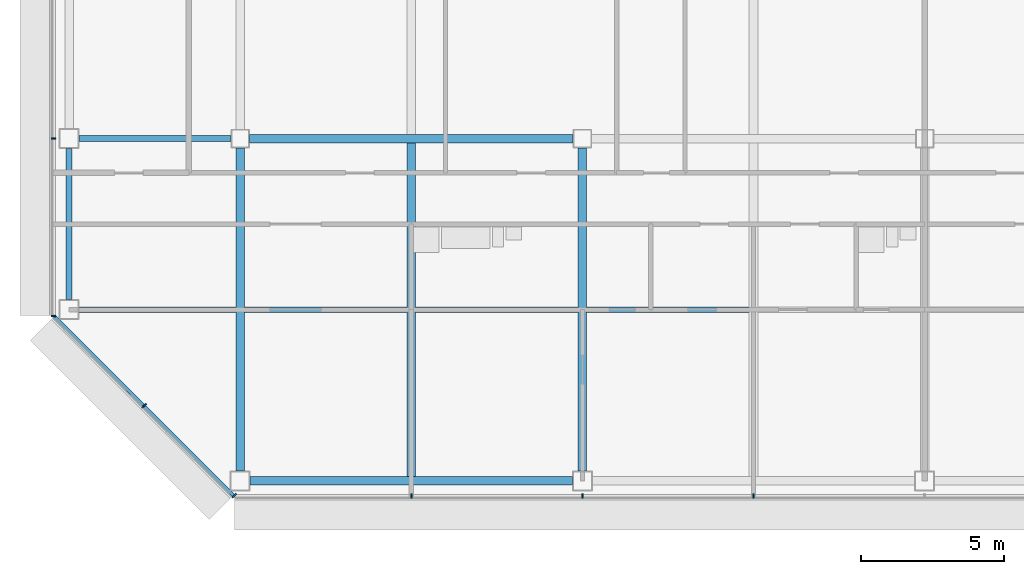
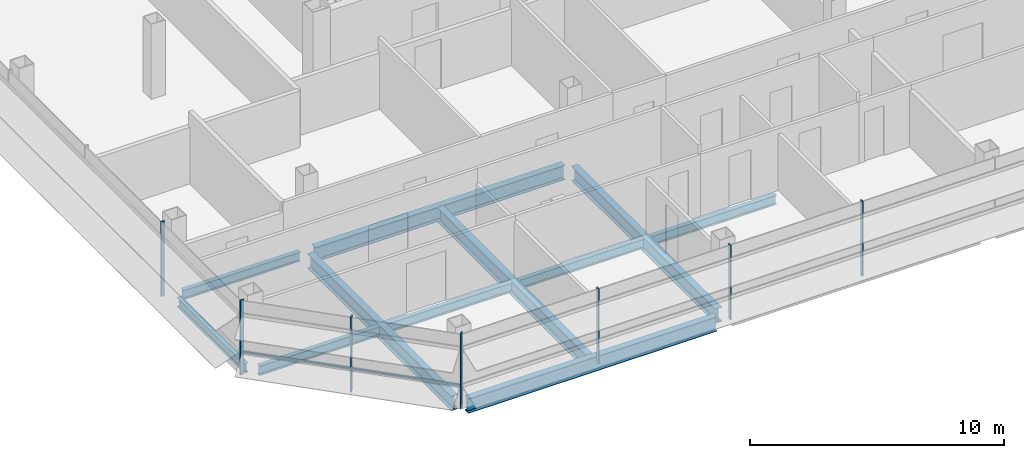
# One storey, part 2 of 26: 11 beams, 8 members, 3 elements without a shape of their own.
"""IFC4 building model written with IfcOpenShell, lengths in metres."""

from ifc_helpers import new_model, si_unit, direction, frame, origin, origin_2d, place, context, subcontext, project, spatial, rectangle, i_section, extrude, material, material_profile, profile_set, type_object, element, aggregate, save


model = new_model("IFC4")

# Units and contexts
model_context = context("Model", 3, precision=1e-05, world=origin(), true_north=direction((0.0, 1.0)))
body_context = subcontext(model_context, "Body", "Model", "MODEL_VIEW")
ifc_project = project(units=[si_unit("LENGTHUNIT", "METRE"), si_unit("AREAUNIT", "SQUARE_METRE"), si_unit("VOLUMEUNIT", "CUBIC_METRE"), si_unit("PLANEANGLEUNIT", "RADIAN"), si_unit("MASSUNIT", "GRAM", prefix="KILO")], contexts=[model_context])

# Site, building, storey
site_placement = place(None, origin())
site = spatial("IfcSite", under=ifc_project, at=site_placement, CompositionType="ELEMENT")
building_placement = place(site_placement, origin())
building = spatial("IfcBuilding", under=site, at=building_placement, Name="Sorahane Residences", CompositionType="ELEMENT")
storey_placement = place(building_placement, frame((0.0, 0.0, 151.0)))
storey = spatial("IfcBuildingStorey", under=building, at=storey_placement, Name="L34", CompositionType="ELEMENT", Elevation=151.0)

# Curtain wall, members
ifc_material_1 = material(Name="Dark low-e glass and black anodised aluminium", Category="aluminium")
curtain_wall_type_1 = type_object("IfcCurtainWallType", Name="Curtain wall CW-1 Typical unitised wall", PredefinedType="NOTDEFINED", material=ifc_material_1)
curtain_wall_1_placement = place(storey_placement, origin())
curtain_wall_1 = element("IfcCurtainWall", 1, at=curtain_wall_1_placement, inside=storey, type_object=curtain_wall_type_1, Name="CW-1 curtain wall L34 S1", PredefinedType="NOTDEFINED")
ifc_material_2 = material(Name="Black anodised aluminium", Category="aluminium")
ifc_material_profile_1 = material_profile(ifc_material_2, rectangle(XDim=0.159912109375, YDim=0.050048828125, at=origin_2d()), Name="Curtain wall mullion CW-1 black anodised aluminium 50x160")
ifc_profile_set_1 = profile_set([ifc_material_profile_1], Name="Black anodised aluminium")
member_type_1 = type_object("IfcMemberType", Name="Curtain wall mullion CW-1 black anodised aluminium 50x160", PredefinedType="MULLION", material=ifc_profile_set_1)
member_1_placement = place(storey_placement, frame((6.0, -0.5400390625, -0.179931640625), z_axis=(0.0, 0.0, 1.0), x_axis=(0.0, -1.0, 0.0)))
member_1 = element("IfcMember", 2, at=member_1_placement, type_object=member_type_1, Name="CW-1 mullion L34 S1.2", PredefinedType="MULLION", context=body_context, shape_type="SweptSolid", body=[
    extrude(rectangle(XDim=0.159912109375, YDim=0.050048828125, at=origin_2d()), origin(), (0.0, 0.0, 1.0), 3.599853515625),
])
member_2_placement = place(storey_placement, frame((12.0, -0.5400390625, -0.179931640625), z_axis=(0.0, 0.0, 1.0), x_axis=(0.0, -1.0, 0.0)))
member_2 = element("IfcMember", 3, at=member_2_placement, type_object=member_type_1, Name="CW-1 mullion L34 S1.3", PredefinedType="MULLION", context=body_context, shape_type="SweptSolid", body=[
    extrude(rectangle(XDim=0.159912109375, YDim=0.050048828125, at=origin_2d()), origin(), (0.0, 0.0, 1.0), 3.599853515625),
])
member_3_placement = place(storey_placement, frame((18.0, -0.5400390625, -0.179931640625), z_axis=(0.0, 0.0, 1.0), x_axis=(0.0, -1.0, 0.0)))
member_3 = element("IfcMember", 4, at=member_3_placement, type_object=member_type_1, Name="CW-1 mullion L34 S1.4", PredefinedType="MULLION", context=body_context, shape_type="SweptSolid", body=[
    extrude(rectangle(XDim=0.159912109375, YDim=0.050048828125, at=origin_2d()), origin(), (0.0, 0.0, 1.0), 3.599853515625),
])
aggregate(curtain_wall_1, [member_1, member_2, member_3])

curtain_wall_2_placement = place(storey_placement, origin())
curtain_wall_2 = element("IfcCurtainWall", 5, at=curtain_wall_2_placement, inside=storey, type_object=curtain_wall_type_1, Name="CW-1 curtain wall L34 W1", PredefinedType="NOTDEFINED")
member_4_placement = place(storey_placement, frame((-6.5400390625, 12.0, -0.179931640625), z_axis=(0.0, 0.0, 1.0), x_axis=(-1.0, 0.0, 0.0)))
member_4 = element("IfcMember", 6, at=member_4_placement, type_object=member_type_1, Name="CW-1 mullion L34 W1.6", PredefinedType="MULLION", context=body_context, shape_type="SweptSolid", body=[
    extrude(rectangle(XDim=0.159912109375, YDim=0.050048828125, at=origin_2d()), origin(), (0.0, 0.0, 1.0), 3.599853515625),
])
member_5_placement = place(storey_placement, frame((-6.5400390625, 5.7763671875, -0.179931640625), z_axis=(0.0, 0.0, 1.0), x_axis=(-1.0, 0.0, 0.0)))
member_5 = element("IfcMember", 7, at=member_5_placement, type_object=member_type_1, Name="CW-1 mullion L34 W1.7", PredefinedType="MULLION", context=body_context, shape_type="SweptSolid", body=[
    extrude(rectangle(XDim=0.159912109375, YDim=0.050048828125, at=origin_2d()), origin(), (0.0, 0.0, 1.0), 3.599853515625),
])
aggregate(curtain_wall_2, [member_4, member_5])

ifc_material_3 = material(Name="Dark low-e glass and black anodised aluminium", Category="aluminium")
curtain_wall_type_2 = type_object("IfcCurtainWallType", Name="Curtain wall CW-2 Chamfer unitised wall", PredefinedType="NOTDEFINED", material=ifc_material_3)
curtain_wall_3_placement = place(storey_placement, origin())
curtain_wall_3 = element("IfcCurtainWall", 8, at=curtain_wall_3_placement, inside=storey, type_object=curtain_wall_type_2, Name="CW-2 curtain wall L34 SW1", PredefinedType="NOTDEFINED")
ifc_material_4 = material(Name="Black anodised aluminium", Category="aluminium")
ifc_material_profile_2 = material_profile(ifc_material_4, rectangle(XDim=0.199951171875, YDim=0.050048828125, at=origin_2d()), Name="Curtain wall mullion CW-2 black anodised aluminium 50x200")
ifc_profile_set_2 = profile_set([ifc_material_profile_2], Name="Black anodised aluminium")
member_type_2 = type_object("IfcMemberType", Name="Curtain wall mullion CW-2 black anodised aluminium 50x200", PredefinedType="MULLION", material=ifc_profile_set_2)
member_6_placement = place(storey_placement, frame((-3.36767578125, 2.63232421875, -0.179931640625), z_axis=(0.0, 0.0, 1.0), x_axis=(-0.707106781187, -0.707106781187, 0.0)))
member_6 = element("IfcMember", 9, at=member_6_placement, type_object=member_type_2, Name="CW-2 mullion L34 SW1.2", PredefinedType="MULLION", context=body_context, shape_type="SweptSolid", body=[
    extrude(rectangle(XDim=0.199951171875, YDim=0.050048828125, at=origin_2d()), origin(), (0.0, 0.0, 1.0), 3.599853515625),
])
member_7_placement = place(storey_placement, frame((-0.209716796875, -0.525634765625, -0.179931640625), z_axis=(0.0, 0.0, 1.0), x_axis=(-0.707106781187, -0.707106781187, 0.0)))
member_7 = element("IfcMember", 10, at=member_7_placement, type_object=member_type_2, Name="CW-2 mullion L34 SW1.3", PredefinedType="MULLION", context=body_context, shape_type="SweptSolid", body=[
    extrude(rectangle(XDim=0.199951171875, YDim=0.050048828125, at=origin_2d()), origin(), (0.0, 0.0, 1.0), 3.599853515625),
])
ifc_material_5 = material(Name="Black anodised aluminium", Category="aluminium")
ifc_material_profile_3 = material_profile(ifc_material_5, rectangle(XDim=0.10009765625, YDim=0.06005859375, at=origin_2d()), Name="Curtain wall transom CW-2 black anodised aluminium 60x100")
ifc_profile_set_3 = profile_set([ifc_material_profile_3], Name="Black anodised aluminium")
member_type_3 = type_object("IfcMemberType", Name="Curtain wall transom CW-2 black anodised aluminium 60x100", PredefinedType="USERDEFINED", material=ifc_profile_set_3)
member_8_placement = place(storey_placement, frame((-6.51513671875, 5.765625, 0.89990234375), z_axis=(0.707106781187, -0.707106781187, 0.0), x_axis=(0.707106781187, 0.707106781187, 0.0)))
member_8 = element("IfcMember", 11, at=member_8_placement, type_object=member_type_3, Name="CW-2 transom L34 SW1", ObjectType="TRANSOM", PredefinedType="USERDEFINED", context=body_context, shape_type="SweptSolid", body=[
    extrude(rectangle(XDim=0.10009765625, YDim=0.06005859375, at=origin_2d()), origin(), (0.0, 0.0, 1.0), 8.88232421875),
])
aggregate(curtain_wall_3, [member_6, member_7, member_8])

# Beams
ifc_material_6 = material(Name="Steel Q355B", Category="steel")
ifc_material_profile_4 = material_profile(ifc_material_6, i_section(OverallWidth=0.199951171875, OverallDepth=0.449951171875, WebThickness=0.009033203125, FlangeThickness=0.013916015625, FilletRadius=0.02001953125, at=origin_2d()), Name="HN 450x200x9x14")
ifc_profile_set_4 = profile_set([ifc_material_profile_4], Name="Steel Q355B")
beam_type_1 = type_object("IfcBeamType", Name="Steel floor beam HN 450x200x9x14 Q355B", PredefinedType="BEAM", material=ifc_profile_set_4)
beam_1_placement = place(storey_placement, frame((-5.64990234375, 12.0, -0.405029296875), z_axis=(1.0, 0.0, 0.0), x_axis=(0.0, 1.0, 0.0)))
element("IfcBeam", 12, at=beam_1_placement, inside=storey, type_object=beam_type_1, Name="Beam L34 005", PredefinedType="BEAM", context=body_context, shape_type="SweptSolid", body=[
    extrude(i_section(OverallWidth=0.199951171875, OverallDepth=0.449951171875, WebThickness=0.009033203125, FlangeThickness=0.013916015625, FilletRadius=0.02001953125, at=origin_2d()), origin(), (0.0, 0.0, 1.0), 5.324951171875),
])
beam_2_placement = place(storey_placement, frame((-6.0, 6.35009765625, -0.405029296875), z_axis=(0.0, 1.0, 0.0), x_axis=(-1.0, 0.0, 0.0)))
element("IfcBeam", 13, at=beam_2_placement, inside=storey, type_object=beam_type_1, Name="Beam L34 020", PredefinedType="BEAM", context=body_context, shape_type="SweptSolid", body=[
    extrude(i_section(OverallWidth=0.199951171875, OverallDepth=0.449951171875, WebThickness=0.009033203125, FlangeThickness=0.013916015625, FilletRadius=0.02001953125, at=origin_2d()), origin(), (0.0, 0.0, 1.0), 5.2998046875),
])
beam_3_placement = place(storey_placement, frame((-5.64990234375, 6.0, -0.405029296875), z_axis=(1.0, 0.0, 0.0), x_axis=(0.0, 1.0, 0.0)))
element("IfcBeam", 14, at=beam_3_placement, inside=storey, type_object=beam_type_1, Name="Beam L34 068", PredefinedType="BEAM", context=body_context, shape_type="SweptSolid", body=[
    extrude(i_section(OverallWidth=0.199951171875, OverallDepth=0.449951171875, WebThickness=0.009033203125, FlangeThickness=0.013916015625, FilletRadius=0.02001953125, at=origin_2d()), origin(), (0.0, 0.0, 1.0), 5.5),
])
for number, where, z_axis, x_axis, name in (
    (15, (0.14990234375, 6.0, -0.405029296875), (1.0, 0.0, 0.0), (0.0, 1.0, 0.0), "Beam L34 069"),
    (16, (6.14990234375, 6.0, -0.405029296875), (1.0, 0.0, 0.0), (0.0, 1.0, 0.0), "Beam L34 070"),
    (17, (12.14990234375, 6.0, -0.405029296875), (1.0, 0.0, 0.0), (0.0, 1.0, 0.0), "Beam L34 071"),
):
    element("IfcBeam", number, at=place(storey_placement, frame(where, z_axis=z_axis, x_axis=x_axis)), inside=storey, type_object=beam_type_1, Name=name, PredefinedType="BEAM", context=body_context, shape_type="SweptSolid", body=[
        extrude(i_section(OverallWidth=0.199951171875, OverallDepth=0.449951171875, WebThickness=0.009033203125, FlangeThickness=0.013916015625, FilletRadius=0.02001953125, at=origin_2d()), origin(), (0.0, 0.0, 1.0), 5.7001953125),
    ])
ifc_material_7 = material(Name="Steel Q355B", Category="steel")
ifc_material_profile_5 = material_profile(ifc_material_7, i_section(OverallWidth=0.300048828125, OverallDepth=0.699951171875, WebThickness=0.012939453125, FlangeThickness=0.02392578125, FilletRadius=0.028076171875, at=origin_2d()), Name="HN 700x300x13x24")
ifc_profile_set_5 = profile_set([ifc_material_profile_5], Name="Steel Q355B")
beam_type_2 = type_object("IfcBeamType", Name="Steel floor beam HN 700x300x13x24 Q355B", PredefinedType="BEAM", material=ifc_profile_set_5)
beam_4_placement = place(storey_placement, frame((0.35009765625, 0.0, -0.530029296875), z_axis=(1.0, 0.0, 0.0), x_axis=(0.0, 1.0, 0.0)))
element("IfcBeam", 18, at=beam_4_placement, inside=storey, type_object=beam_type_2, Name="Beam L34 000", PredefinedType="BEAM", context=body_context, shape_type="SweptSolid", body=[
    extrude(i_section(OverallWidth=0.300048828125, OverallDepth=0.699951171875, WebThickness=0.012939453125, FlangeThickness=0.02392578125, FilletRadius=0.028076171875, at=origin_2d()), origin(), (0.0, 0.0, 1.0), 11.2998046875),
])
beam_5_placement = place(storey_placement, frame((0.324951171875, 12.0, -0.530029296875), z_axis=(1.0, 0.0, 0.0), x_axis=(0.0, 1.0, 0.0)))
element("IfcBeam", 19, at=beam_5_placement, inside=storey, type_object=beam_type_2, Name="Beam L34 006", PredefinedType="BEAM", context=body_context, shape_type="SweptSolid", body=[
    extrude(i_section(OverallWidth=0.300048828125, OverallDepth=0.699951171875, WebThickness=0.012939453125, FlangeThickness=0.02392578125, FilletRadius=0.028076171875, at=origin_2d()), origin(), (0.0, 0.0, 1.0), 11.35009765625),
])
beam_6_placement = place(storey_placement, frame((0.0, 0.35009765625, -0.530029296875), z_axis=(0.0, 1.0, 0.0), x_axis=(-1.0, 0.0, 0.0)))
element("IfcBeam", 20, at=beam_6_placement, inside=storey, type_object=beam_type_2, Name="Beam L34 024", PredefinedType="BEAM", context=body_context, shape_type="SweptSolid", body=[
    extrude(i_section(OverallWidth=0.300048828125, OverallDepth=0.699951171875, WebThickness=0.012939453125, FlangeThickness=0.02392578125, FilletRadius=0.028076171875, at=origin_2d()), origin(), (0.0, 0.0, 1.0), 11.324951171875),
])
beam_7_placement = place(storey_placement, frame((6.0, 0.14990234375, -0.530029296875), z_axis=(0.0, 1.0, 0.0), x_axis=(-1.0, 0.0, 0.0)))
element("IfcBeam", 21, at=beam_7_placement, inside=storey, type_object=beam_type_2, Name="Beam L34 028", PredefinedType="BEAM", context=body_context, shape_type="SweptSolid", body=[
    extrude(i_section(OverallWidth=0.300048828125, OverallDepth=0.699951171875, WebThickness=0.012939453125, FlangeThickness=0.02392578125, FilletRadius=0.028076171875, at=origin_2d()), origin(), (0.0, 0.0, 1.0), 11.7001953125),
])
beam_8_placement = place(storey_placement, frame((12.0, 0.35009765625, -0.530029296875), z_axis=(0.0, 1.0, 0.0), x_axis=(-1.0, 0.0, 0.0)))
element("IfcBeam", 22, at=beam_8_placement, inside=storey, type_object=beam_type_2, Name="Beam L34 034", PredefinedType="BEAM", context=body_context, shape_type="SweptSolid", body=[
    extrude(i_section(OverallWidth=0.300048828125, OverallDepth=0.699951171875, WebThickness=0.012939453125, FlangeThickness=0.02392578125, FilletRadius=0.028076171875, at=origin_2d()), origin(), (0.0, 0.0, 1.0), 11.324951171875),
])

save(model, "model.ifc")
